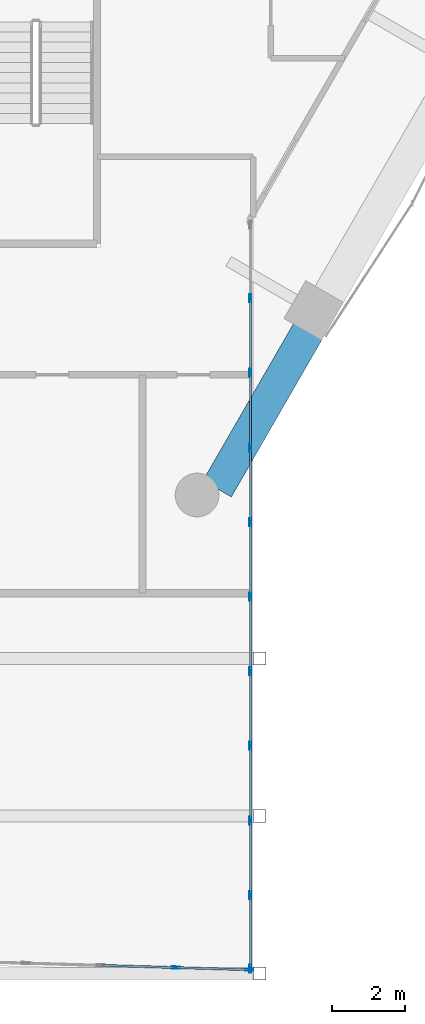
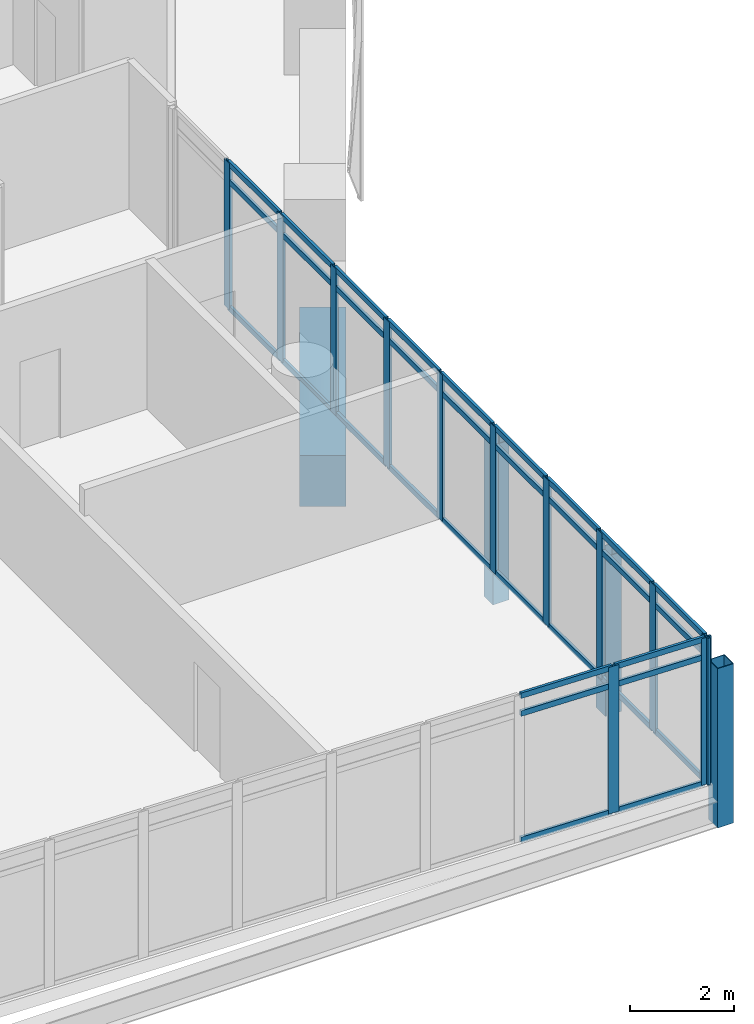
# One storey, part 11 of 36: 48 members, 1 beam, 2 elements without a shape of their own.
"""IFC4 building model written with IfcOpenShell, lengths in metres."""

from ifc_helpers import new_model, si_unit, direction, frame, origin, origin_2d, place, context, subcontext, project, spatial, rectangle, hollow_rectangle, extrude, material, material_profile, profile_set, type_object, element, aggregate, save


model = new_model("IFC4")

# Units and contexts
model_context = context("Model", 3, precision=1e-05, world=origin(), true_north=direction((0.0, 1.0)))
body_context = subcontext(model_context, "Body", "Model", "MODEL_VIEW")
ifc_project = project(units=[si_unit("LENGTHUNIT", "METRE"), si_unit("AREAUNIT", "SQUARE_METRE"), si_unit("VOLUMEUNIT", "CUBIC_METRE"), si_unit("PLANEANGLEUNIT", "RADIAN"), si_unit("MASSUNIT", "GRAM", prefix="KILO")], contexts=[model_context])

# Site, building, storey
site_placement = place(None, origin())
site = spatial("IfcSite", under=ifc_project, at=site_placement, CompositionType="ELEMENT")
building_placement = place(site_placement, origin())
building = spatial("IfcBuilding", under=site, at=building_placement, Name="Ostrander Bayou Hotel Tower", CompositionType="ELEMENT")
storey_placement = place(building_placement, frame((0.0, 0.0, 138.5)))
storey = spatial("IfcBuildingStorey", under=building, at=storey_placement, Name="L34", CompositionType="ELEMENT", Elevation=138.5)

# Curtain wall, members
ifc_material_1 = material(Name="Aluminium and clear glass", Category="aluminium")
curtain_wall_type = type_object("IfcCurtainWallType", Name="CW-BAR glazed wall", PredefinedType="NOTDEFINED", material=ifc_material_1)
curtain_wall_1_placement = place(storey_placement, origin())
curtain_wall_1 = element("IfcCurtainWall", 1, at=curtain_wall_1_placement, inside=storey, type_object=curtain_wall_type, Name="CW-BAR L34:SB3S:T", PredefinedType="NOTDEFINED")
ifc_material_2 = material(Name="Aluminium", Category="aluminium")
ifc_material_profile_1 = material_profile(ifc_material_2, hollow_rectangle(XDim=0.06005859375, YDim=0.219970703125, WallThickness=0.00390625, at=origin_2d()))
ifc_profile_set_1 = profile_set([ifc_material_profile_1], Name="Aluminium")
member_type_1 = type_object("IfcMemberType", Name="CW-BR mullion 60 x 220 mm", PredefinedType="MULLION", material=ifc_profile_set_1)
member_1_placement = place(storey_placement, frame((11.310791015625, -31.28662109375, 0.0), z_axis=(0.0, 0.0, 1.0), x_axis=(0.029746242041, 0.999557482631, 0.0)))
member_1 = element("IfcMember", 2, at=member_1_placement, type_object=member_type_1, Name="CW-BAR mullion 13", PredefinedType="MULLION", context=body_context, shape_type="SweptSolid", body=[
    extrude(hollow_rectangle(XDim=0.06005859375, YDim=0.219970703125, WallThickness=0.00390625, at=origin_2d()), origin(), (0.0, 0.0, 1.0), 3.449951171875),
])
member_2_placement = place(storey_placement, frame((13.337158203125, -31.346923828125, 0.0), z_axis=(0.0, 0.0, 1.0), x_axis=(0.029746242041, 0.999557482631, 0.0)))
member_2 = element("IfcMember", 3, at=member_2_placement, type_object=member_type_1, Name="CW-BAR mullion 14", PredefinedType="MULLION", context=body_context, shape_type="SweptSolid", body=[
    extrude(hollow_rectangle(XDim=0.06005859375, YDim=0.219970703125, WallThickness=0.00390625, at=origin_2d()), origin(), (0.0, 0.0, 1.0), 3.449951171875),
])

curtain_wall_2_placement = place(storey_placement, origin())
curtain_wall_2 = element("IfcCurtainWall", 4, at=curtain_wall_2_placement, inside=storey, type_object=curtain_wall_type, Name="CW-BAR L34:SB3S:W", PredefinedType="NOTDEFINED")
member_3_placement = place(storey_placement, frame((13.3671875, -12.8974609375, 0.0), z_axis=(0.0, 0.0, 1.0), x_axis=(1.0, 0.0, 0.0)))
member_3 = element("IfcMember", 5, at=member_3_placement, type_object=member_type_1, Name="CW-BAR mullion 2", PredefinedType="MULLION", context=body_context, shape_type="SweptSolid", body=[
    extrude(hollow_rectangle(XDim=0.06005859375, YDim=0.219970703125, WallThickness=0.00390625, at=origin_2d()), origin(), (0.0, 0.0, 1.0), 3.449951171875),
])
member_4_placement = place(storey_placement, frame((13.3671875, -14.947509765625, 0.0), z_axis=(0.0, 0.0, 1.0), x_axis=(1.0, 0.0, 0.0)))
member_4 = element("IfcMember", 6, at=member_4_placement, type_object=member_type_1, Name="CW-BAR mullion 3", PredefinedType="MULLION", context=body_context, shape_type="SweptSolid", body=[
    extrude(hollow_rectangle(XDim=0.06005859375, YDim=0.219970703125, WallThickness=0.00390625, at=origin_2d()), origin(), (0.0, 0.0, 1.0), 3.449951171875),
])
member_5_placement = place(storey_placement, frame((13.3671875, -16.99755859375, 0.0), z_axis=(0.0, 0.0, 1.0), x_axis=(1.0, 0.0, 0.0)))
member_5 = element("IfcMember", 7, at=member_5_placement, type_object=member_type_1, Name="CW-BAR mullion 4", PredefinedType="MULLION", context=body_context, shape_type="SweptSolid", body=[
    extrude(hollow_rectangle(XDim=0.06005859375, YDim=0.219970703125, WallThickness=0.00390625, at=origin_2d()), origin(), (0.0, 0.0, 1.0), 3.449951171875),
])
member_6_placement = place(storey_placement, frame((13.3671875, -19.047607421875, 0.0), z_axis=(0.0, 0.0, 1.0), x_axis=(1.0, 0.0, 0.0)))
member_6 = element("IfcMember", 8, at=member_6_placement, type_object=member_type_1, Name="CW-BAR mullion 5", PredefinedType="MULLION", context=body_context, shape_type="SweptSolid", body=[
    extrude(hollow_rectangle(XDim=0.06005859375, YDim=0.219970703125, WallThickness=0.00390625, at=origin_2d()), origin(), (0.0, 0.0, 1.0), 3.449951171875),
])
member_7_placement = place(storey_placement, frame((13.3671875, -21.09765625, 0.0), z_axis=(0.0, 0.0, 1.0), x_axis=(1.0, 0.0, 0.0)))
member_7 = element("IfcMember", 9, at=member_7_placement, type_object=member_type_1, Name="CW-BAR mullion 6", PredefinedType="MULLION", context=body_context, shape_type="SweptSolid", body=[
    extrude(hollow_rectangle(XDim=0.06005859375, YDim=0.219970703125, WallThickness=0.00390625, at=origin_2d()), origin(), (0.0, 0.0, 1.0), 3.449951171875),
])
member_8_placement = place(storey_placement, frame((13.3671875, -23.147705078125, 0.0), z_axis=(0.0, 0.0, 1.0), x_axis=(1.0, 0.0, 0.0)))
member_8 = element("IfcMember", 10, at=member_8_placement, type_object=member_type_1, Name="CW-BAR mullion 7", PredefinedType="MULLION", context=body_context, shape_type="SweptSolid", body=[
    extrude(hollow_rectangle(XDim=0.06005859375, YDim=0.219970703125, WallThickness=0.00390625, at=origin_2d()), origin(), (0.0, 0.0, 1.0), 3.449951171875),
])
member_9_placement = place(storey_placement, frame((13.3671875, -25.19775390625, 0.0), z_axis=(0.0, 0.0, 1.0), x_axis=(1.0, 0.0, 0.0)))
member_9 = element("IfcMember", 11, at=member_9_placement, type_object=member_type_1, Name="CW-BAR mullion 8", PredefinedType="MULLION", context=body_context, shape_type="SweptSolid", body=[
    extrude(hollow_rectangle(XDim=0.06005859375, YDim=0.219970703125, WallThickness=0.00390625, at=origin_2d()), origin(), (0.0, 0.0, 1.0), 3.449951171875),
])
member_10_placement = place(storey_placement, frame((13.3671875, -27.247802734375, 0.0), z_axis=(0.0, 0.0, 1.0), x_axis=(1.0, 0.0, 0.0)))
member_10 = element("IfcMember", 12, at=member_10_placement, type_object=member_type_1, Name="CW-BAR mullion 9", PredefinedType="MULLION", context=body_context, shape_type="SweptSolid", body=[
    extrude(hollow_rectangle(XDim=0.06005859375, YDim=0.219970703125, WallThickness=0.00390625, at=origin_2d()), origin(), (0.0, 0.0, 1.0), 3.449951171875),
])
member_11_placement = place(storey_placement, frame((13.3671875, -29.2978515625, 0.0), z_axis=(0.0, 0.0, 1.0), x_axis=(1.0, 0.0, 0.0)))
member_11 = element("IfcMember", 13, at=member_11_placement, type_object=member_type_1, Name="CW-BAR mullion 10", PredefinedType="MULLION", context=body_context, shape_type="SweptSolid", body=[
    extrude(hollow_rectangle(XDim=0.06005859375, YDim=0.219970703125, WallThickness=0.00390625, at=origin_2d()), origin(), (0.0, 0.0, 1.0), 3.449951171875),
])
member_12_placement = place(storey_placement, frame((13.3671875, -31.31787109375, 0.0), z_axis=(0.0, 0.0, 1.0), x_axis=(1.0, 0.0, 0.0)))
member_12 = element("IfcMember", 14, at=member_12_placement, type_object=member_type_1, Name="CW-BAR mullion 11", PredefinedType="MULLION", context=body_context, shape_type="SweptSolid", body=[
    extrude(hollow_rectangle(XDim=0.06005859375, YDim=0.219970703125, WallThickness=0.00390625, at=origin_2d()), origin(), (0.0, 0.0, 1.0), 3.449951171875),
])

# Member
ifc_material_3 = material(Name="Aluminium", Category="aluminium")
ifc_material_profile_2 = material_profile(ifc_material_3, hollow_rectangle(XDim=0.06005859375, YDim=0.1298828125, WallThickness=0.00390625, at=origin_2d()))
ifc_profile_set_2 = profile_set([ifc_material_profile_2], Name="Aluminium")
member_type_2 = type_object("IfcMemberType", Name="CW-BR transom 60 x 130 mm", PredefinedType="USERDEFINED", material=ifc_profile_set_2)
member_13_placement = place(storey_placement, frame((9.2841796875, -31.226318359375, 0.030029296875), z_axis=(0.999558835181, -0.029700757758, 0.0), x_axis=(0.029700757758, 0.999558835181, 0.0)))
member_13 = element("IfcMember", 15, at=member_13_placement, type_object=member_type_2, Name="CW-BAR transom 12.1", ObjectType="TRANSOM", PredefinedType="USERDEFINED", context=body_context, shape_type="SweptSolid", body=[
    extrude(hollow_rectangle(XDim=0.06005859375, YDim=0.1298828125, WallThickness=0.00390625, at=origin_2d()), origin(), (0.0, 0.0, 1.0), 1.99755859375),
])

member_14_placement = place(storey_placement, frame((9.2841796875, -31.226318359375, 3.0), z_axis=(0.999558835181, -0.029700757758, 0.0), x_axis=(0.029700757758, 0.999558835181, 0.0)))
member_14 = element("IfcMember", 16, at=member_14_placement, type_object=member_type_2, Name="CW-BAR transom 12.2", ObjectType="TRANSOM", PredefinedType="USERDEFINED", context=body_context, shape_type="SweptSolid", body=[
    extrude(hollow_rectangle(XDim=0.06005859375, YDim=0.1298828125, WallThickness=0.00390625, at=origin_2d()), origin(), (0.0, 0.0, 1.0), 1.99755859375),
])

member_15_placement = place(storey_placement, frame((9.2841796875, -31.226318359375, 3.419921875), z_axis=(0.999558835181, -0.029700757758, 0.0), x_axis=(0.029700757758, 0.999558835181, 0.0)))
member_15 = element("IfcMember", 17, at=member_15_placement, type_object=member_type_2, Name="CW-BAR transom 12.3", ObjectType="TRANSOM", PredefinedType="USERDEFINED", context=body_context, shape_type="SweptSolid", body=[
    extrude(hollow_rectangle(XDim=0.06005859375, YDim=0.1298828125, WallThickness=0.00390625, at=origin_2d()), origin(), (0.0, 0.0, 1.0), 1.99755859375),
])

member_16_placement = place(storey_placement, frame((11.340576171875, -31.28759765625, 0.030029296875), z_axis=(0.99956010596, -0.029657959693, 0.0), x_axis=(0.029657959693, 0.99956010596, 0.0)))
member_16 = element("IfcMember", 18, at=member_16_placement, type_object=member_type_2, Name="CW-BAR transom 13.1", ObjectType="TRANSOM", PredefinedType="USERDEFINED", context=body_context, shape_type="SweptSolid", body=[
    extrude(hollow_rectangle(XDim=0.06005859375, YDim=0.1298828125, WallThickness=0.00390625, at=origin_2d()), origin(), (0.0, 0.0, 1.0), 1.967529296875),
])

member_17_placement = place(storey_placement, frame((11.340576171875, -31.28759765625, 3.0), z_axis=(0.99956010596, -0.029657959693, 0.0), x_axis=(0.029657959693, 0.99956010596, 0.0)))
member_17 = element("IfcMember", 19, at=member_17_placement, type_object=member_type_2, Name="CW-BAR transom 13.2", ObjectType="TRANSOM", PredefinedType="USERDEFINED", context=body_context, shape_type="SweptSolid", body=[
    extrude(hollow_rectangle(XDim=0.06005859375, YDim=0.1298828125, WallThickness=0.00390625, at=origin_2d()), origin(), (0.0, 0.0, 1.0), 1.967529296875),
])

member_18_placement = place(storey_placement, frame((11.340576171875, -31.28759765625, 3.419921875), z_axis=(0.99956010596, -0.029657959693, 0.0), x_axis=(0.029657959693, 0.99956010596, 0.0)))
member_18 = element("IfcMember", 20, at=member_18_placement, type_object=member_type_2, Name="CW-BAR transom 13.3", ObjectType="TRANSOM", PredefinedType="USERDEFINED", context=body_context, shape_type="SweptSolid", body=[
    extrude(hollow_rectangle(XDim=0.06005859375, YDim=0.1298828125, WallThickness=0.00390625, at=origin_2d()), origin(), (0.0, 0.0, 1.0), 1.967529296875),
])

aggregate(curtain_wall_1, [member_1, member_2, member_13, member_14, member_15, member_16, member_17, member_18])

member_19_placement = place(storey_placement, frame((13.3671875, -12.92724609375, 0.030029296875), z_axis=(0.0, -1.0, 0.0), x_axis=(1.0, 0.0, 0.0)))
member_19 = element("IfcMember", 21, at=member_19_placement, type_object=member_type_2, Name="CW-BAR transom 2.1", ObjectType="TRANSOM", PredefinedType="USERDEFINED", context=body_context, shape_type="SweptSolid", body=[
    extrude(hollow_rectangle(XDim=0.06005859375, YDim=0.1298828125, WallThickness=0.00390625, at=origin_2d()), origin(), (0.0, 0.0, 1.0), 1.990234375),
])

member_20_placement = place(storey_placement, frame((13.3671875, -12.92724609375, 3.0), z_axis=(0.0, -1.0, 0.0), x_axis=(1.0, 0.0, 0.0)))
member_20 = element("IfcMember", 22, at=member_20_placement, type_object=member_type_2, Name="CW-BAR transom 2.2", ObjectType="TRANSOM", PredefinedType="USERDEFINED", context=body_context, shape_type="SweptSolid", body=[
    extrude(hollow_rectangle(XDim=0.06005859375, YDim=0.1298828125, WallThickness=0.00390625, at=origin_2d()), origin(), (0.0, 0.0, 1.0), 1.990234375),
])

member_21_placement = place(storey_placement, frame((13.3671875, -12.92724609375, 3.419921875), z_axis=(0.0, -1.0, 0.0), x_axis=(1.0, 0.0, 0.0)))
member_21 = element("IfcMember", 23, at=member_21_placement, type_object=member_type_2, Name="CW-BAR transom 2.3", ObjectType="TRANSOM", PredefinedType="USERDEFINED", context=body_context, shape_type="SweptSolid", body=[
    extrude(hollow_rectangle(XDim=0.06005859375, YDim=0.1298828125, WallThickness=0.00390625, at=origin_2d()), origin(), (0.0, 0.0, 1.0), 1.990234375),
])

member_22_placement = place(storey_placement, frame((13.3671875, -14.977294921875, 0.030029296875), z_axis=(0.0, -1.0, 0.0), x_axis=(1.0, 0.0, 0.0)))
member_22 = element("IfcMember", 24, at=member_22_placement, type_object=member_type_2, Name="CW-BAR transom 3.1", ObjectType="TRANSOM", PredefinedType="USERDEFINED", context=body_context, shape_type="SweptSolid", body=[
    extrude(hollow_rectangle(XDim=0.06005859375, YDim=0.1298828125, WallThickness=0.00390625, at=origin_2d()), origin(), (0.0, 0.0, 1.0), 1.990234375),
])

member_23_placement = place(storey_placement, frame((13.3671875, -14.977294921875, 3.0), z_axis=(0.0, -1.0, 0.0), x_axis=(1.0, 0.0, 0.0)))
member_23 = element("IfcMember", 25, at=member_23_placement, type_object=member_type_2, Name="CW-BAR transom 3.2", ObjectType="TRANSOM", PredefinedType="USERDEFINED", context=body_context, shape_type="SweptSolid", body=[
    extrude(hollow_rectangle(XDim=0.06005859375, YDim=0.1298828125, WallThickness=0.00390625, at=origin_2d()), origin(), (0.0, 0.0, 1.0), 1.990234375),
])

member_24_placement = place(storey_placement, frame((13.3671875, -14.977294921875, 3.419921875), z_axis=(0.0, -1.0, 0.0), x_axis=(1.0, 0.0, 0.0)))
member_24 = element("IfcMember", 26, at=member_24_placement, type_object=member_type_2, Name="CW-BAR transom 3.3", ObjectType="TRANSOM", PredefinedType="USERDEFINED", context=body_context, shape_type="SweptSolid", body=[
    extrude(hollow_rectangle(XDim=0.06005859375, YDim=0.1298828125, WallThickness=0.00390625, at=origin_2d()), origin(), (0.0, 0.0, 1.0), 1.990234375),
])

member_25_placement = place(storey_placement, frame((13.3671875, -17.02734375, 0.030029296875), z_axis=(0.0, -1.0, 0.0), x_axis=(1.0, 0.0, 0.0)))
member_25 = element("IfcMember", 27, at=member_25_placement, type_object=member_type_2, Name="CW-BAR transom 4.1", ObjectType="TRANSOM", PredefinedType="USERDEFINED", context=body_context, shape_type="SweptSolid", body=[
    extrude(hollow_rectangle(XDim=0.06005859375, YDim=0.1298828125, WallThickness=0.00390625, at=origin_2d()), origin(), (0.0, 0.0, 1.0), 1.990234375),
])

member_26_placement = place(storey_placement, frame((13.3671875, -17.02734375, 3.0), z_axis=(0.0, -1.0, 0.0), x_axis=(1.0, 0.0, 0.0)))
member_26 = element("IfcMember", 28, at=member_26_placement, type_object=member_type_2, Name="CW-BAR transom 4.2", ObjectType="TRANSOM", PredefinedType="USERDEFINED", context=body_context, shape_type="SweptSolid", body=[
    extrude(hollow_rectangle(XDim=0.06005859375, YDim=0.1298828125, WallThickness=0.00390625, at=origin_2d()), origin(), (0.0, 0.0, 1.0), 1.990234375),
])

member_27_placement = place(storey_placement, frame((13.3671875, -17.02734375, 3.419921875), z_axis=(0.0, -1.0, 0.0), x_axis=(1.0, 0.0, 0.0)))
member_27 = element("IfcMember", 29, at=member_27_placement, type_object=member_type_2, Name="CW-BAR transom 4.3", ObjectType="TRANSOM", PredefinedType="USERDEFINED", context=body_context, shape_type="SweptSolid", body=[
    extrude(hollow_rectangle(XDim=0.06005859375, YDim=0.1298828125, WallThickness=0.00390625, at=origin_2d()), origin(), (0.0, 0.0, 1.0), 1.990234375),
])

member_28_placement = place(storey_placement, frame((13.3671875, -19.077392578125, 0.030029296875), z_axis=(0.0, -1.0, 0.0), x_axis=(1.0, 0.0, 0.0)))
member_28 = element("IfcMember", 30, at=member_28_placement, type_object=member_type_2, Name="CW-BAR transom 5.1", ObjectType="TRANSOM", PredefinedType="USERDEFINED", context=body_context, shape_type="SweptSolid", body=[
    extrude(hollow_rectangle(XDim=0.06005859375, YDim=0.1298828125, WallThickness=0.00390625, at=origin_2d()), origin(), (0.0, 0.0, 1.0), 1.990234375),
])

member_29_placement = place(storey_placement, frame((13.3671875, -19.077392578125, 3.0), z_axis=(0.0, -1.0, 0.0), x_axis=(1.0, 0.0, 0.0)))
member_29 = element("IfcMember", 31, at=member_29_placement, type_object=member_type_2, Name="CW-BAR transom 5.2", ObjectType="TRANSOM", PredefinedType="USERDEFINED", context=body_context, shape_type="SweptSolid", body=[
    extrude(hollow_rectangle(XDim=0.06005859375, YDim=0.1298828125, WallThickness=0.00390625, at=origin_2d()), origin(), (0.0, 0.0, 1.0), 1.990234375),
])

member_30_placement = place(storey_placement, frame((13.3671875, -19.077392578125, 3.419921875), z_axis=(0.0, -1.0, 0.0), x_axis=(1.0, 0.0, 0.0)))
member_30 = element("IfcMember", 32, at=member_30_placement, type_object=member_type_2, Name="CW-BAR transom 5.3", ObjectType="TRANSOM", PredefinedType="USERDEFINED", context=body_context, shape_type="SweptSolid", body=[
    extrude(hollow_rectangle(XDim=0.06005859375, YDim=0.1298828125, WallThickness=0.00390625, at=origin_2d()), origin(), (0.0, 0.0, 1.0), 1.990234375),
])

member_31_placement = place(storey_placement, frame((13.3671875, -21.12744140625, 0.030029296875), z_axis=(0.0, -1.0, 0.0), x_axis=(1.0, 0.0, 0.0)))
member_31 = element("IfcMember", 33, at=member_31_placement, type_object=member_type_2, Name="CW-BAR transom 6.1", ObjectType="TRANSOM", PredefinedType="USERDEFINED", context=body_context, shape_type="SweptSolid", body=[
    extrude(hollow_rectangle(XDim=0.06005859375, YDim=0.1298828125, WallThickness=0.00390625, at=origin_2d()), origin(), (0.0, 0.0, 1.0), 1.990234375),
])

member_32_placement = place(storey_placement, frame((13.3671875, -21.12744140625, 3.0), z_axis=(0.0, -1.0, 0.0), x_axis=(1.0, 0.0, 0.0)))
member_32 = element("IfcMember", 34, at=member_32_placement, type_object=member_type_2, Name="CW-BAR transom 6.2", ObjectType="TRANSOM", PredefinedType="USERDEFINED", context=body_context, shape_type="SweptSolid", body=[
    extrude(hollow_rectangle(XDim=0.06005859375, YDim=0.1298828125, WallThickness=0.00390625, at=origin_2d()), origin(), (0.0, 0.0, 1.0), 1.990234375),
])

member_33_placement = place(storey_placement, frame((13.3671875, -21.12744140625, 3.419921875), z_axis=(0.0, -1.0, 0.0), x_axis=(1.0, 0.0, 0.0)))
member_33 = element("IfcMember", 35, at=member_33_placement, type_object=member_type_2, Name="CW-BAR transom 6.3", ObjectType="TRANSOM", PredefinedType="USERDEFINED", context=body_context, shape_type="SweptSolid", body=[
    extrude(hollow_rectangle(XDim=0.06005859375, YDim=0.1298828125, WallThickness=0.00390625, at=origin_2d()), origin(), (0.0, 0.0, 1.0), 1.990234375),
])

member_34_placement = place(storey_placement, frame((13.3671875, -23.177490234375, 0.030029296875), z_axis=(0.0, -1.0, 0.0), x_axis=(1.0, 0.0, 0.0)))
member_34 = element("IfcMember", 36, at=member_34_placement, type_object=member_type_2, Name="CW-BAR transom 7.1", ObjectType="TRANSOM", PredefinedType="USERDEFINED", context=body_context, shape_type="SweptSolid", body=[
    extrude(hollow_rectangle(XDim=0.06005859375, YDim=0.1298828125, WallThickness=0.00390625, at=origin_2d()), origin(), (0.0, 0.0, 1.0), 1.990234375),
])

member_35_placement = place(storey_placement, frame((13.3671875, -23.177490234375, 3.0), z_axis=(0.0, -1.0, 0.0), x_axis=(1.0, 0.0, 0.0)))
member_35 = element("IfcMember", 37, at=member_35_placement, type_object=member_type_2, Name="CW-BAR transom 7.2", ObjectType="TRANSOM", PredefinedType="USERDEFINED", context=body_context, shape_type="SweptSolid", body=[
    extrude(hollow_rectangle(XDim=0.06005859375, YDim=0.1298828125, WallThickness=0.00390625, at=origin_2d()), origin(), (0.0, 0.0, 1.0), 1.990234375),
])

member_36_placement = place(storey_placement, frame((13.3671875, -23.177490234375, 3.419921875), z_axis=(0.0, -1.0, 0.0), x_axis=(1.0, 0.0, 0.0)))
member_36 = element("IfcMember", 38, at=member_36_placement, type_object=member_type_2, Name="CW-BAR transom 7.3", ObjectType="TRANSOM", PredefinedType="USERDEFINED", context=body_context, shape_type="SweptSolid", body=[
    extrude(hollow_rectangle(XDim=0.06005859375, YDim=0.1298828125, WallThickness=0.00390625, at=origin_2d()), origin(), (0.0, 0.0, 1.0), 1.990234375),
])

member_37_placement = place(storey_placement, frame((13.3671875, -25.2275390625, 0.030029296875), z_axis=(0.0, -1.0, 0.0), x_axis=(1.0, 0.0, 0.0)))
member_37 = element("IfcMember", 39, at=member_37_placement, type_object=member_type_2, Name="CW-BAR transom 8.1", ObjectType="TRANSOM", PredefinedType="USERDEFINED", context=body_context, shape_type="SweptSolid", body=[
    extrude(hollow_rectangle(XDim=0.06005859375, YDim=0.1298828125, WallThickness=0.00390625, at=origin_2d()), origin(), (0.0, 0.0, 1.0), 1.990234375),
])

member_38_placement = place(storey_placement, frame((13.3671875, -25.2275390625, 3.0), z_axis=(0.0, -1.0, 0.0), x_axis=(1.0, 0.0, 0.0)))
member_38 = element("IfcMember", 40, at=member_38_placement, type_object=member_type_2, Name="CW-BAR transom 8.2", ObjectType="TRANSOM", PredefinedType="USERDEFINED", context=body_context, shape_type="SweptSolid", body=[
    extrude(hollow_rectangle(XDim=0.06005859375, YDim=0.1298828125, WallThickness=0.00390625, at=origin_2d()), origin(), (0.0, 0.0, 1.0), 1.990234375),
])

member_39_placement = place(storey_placement, frame((13.3671875, -25.2275390625, 3.419921875), z_axis=(0.0, -1.0, 0.0), x_axis=(1.0, 0.0, 0.0)))
member_39 = element("IfcMember", 41, at=member_39_placement, type_object=member_type_2, Name="CW-BAR transom 8.3", ObjectType="TRANSOM", PredefinedType="USERDEFINED", context=body_context, shape_type="SweptSolid", body=[
    extrude(hollow_rectangle(XDim=0.06005859375, YDim=0.1298828125, WallThickness=0.00390625, at=origin_2d()), origin(), (0.0, 0.0, 1.0), 1.990234375),
])

member_40_placement = place(storey_placement, frame((13.3671875, -27.277587890625, 0.030029296875), z_axis=(0.0, -1.0, 0.0), x_axis=(1.0, 0.0, 0.0)))
member_40 = element("IfcMember", 42, at=member_40_placement, type_object=member_type_2, Name="CW-BAR transom 9.1", ObjectType="TRANSOM", PredefinedType="USERDEFINED", context=body_context, shape_type="SweptSolid", body=[
    extrude(hollow_rectangle(XDim=0.06005859375, YDim=0.1298828125, WallThickness=0.00390625, at=origin_2d()), origin(), (0.0, 0.0, 1.0), 1.990234375),
])

member_41_placement = place(storey_placement, frame((13.3671875, -27.277587890625, 3.0), z_axis=(0.0, -1.0, 0.0), x_axis=(1.0, 0.0, 0.0)))
member_41 = element("IfcMember", 43, at=member_41_placement, type_object=member_type_2, Name="CW-BAR transom 9.2", ObjectType="TRANSOM", PredefinedType="USERDEFINED", context=body_context, shape_type="SweptSolid", body=[
    extrude(hollow_rectangle(XDim=0.06005859375, YDim=0.1298828125, WallThickness=0.00390625, at=origin_2d()), origin(), (0.0, 0.0, 1.0), 1.990234375),
])

member_42_placement = place(storey_placement, frame((13.3671875, -27.277587890625, 3.419921875), z_axis=(0.0, -1.0, 0.0), x_axis=(1.0, 0.0, 0.0)))
member_42 = element("IfcMember", 44, at=member_42_placement, type_object=member_type_2, Name="CW-BAR transom 9.3", ObjectType="TRANSOM", PredefinedType="USERDEFINED", context=body_context, shape_type="SweptSolid", body=[
    extrude(hollow_rectangle(XDim=0.06005859375, YDim=0.1298828125, WallThickness=0.00390625, at=origin_2d()), origin(), (0.0, 0.0, 1.0), 1.990234375),
])

member_43_placement = place(storey_placement, frame((13.3671875, -29.32763671875, 0.030029296875), z_axis=(0.0, -1.0, 0.0), x_axis=(1.0, 0.0, 0.0)))
member_43 = element("IfcMember", 45, at=member_43_placement, type_object=member_type_2, Name="CW-BAR transom 10.1", ObjectType="TRANSOM", PredefinedType="USERDEFINED", context=body_context, shape_type="SweptSolid", body=[
    extrude(hollow_rectangle(XDim=0.06005859375, YDim=0.1298828125, WallThickness=0.00390625, at=origin_2d()), origin(), (0.0, 0.0, 1.0), 1.960205078125),
])

member_44_placement = place(storey_placement, frame((13.3671875, -29.32763671875, 3.0), z_axis=(0.0, -1.0, 0.0), x_axis=(1.0, 0.0, 0.0)))
member_44 = element("IfcMember", 46, at=member_44_placement, type_object=member_type_2, Name="CW-BAR transom 10.2", ObjectType="TRANSOM", PredefinedType="USERDEFINED", context=body_context, shape_type="SweptSolid", body=[
    extrude(hollow_rectangle(XDim=0.06005859375, YDim=0.1298828125, WallThickness=0.00390625, at=origin_2d()), origin(), (0.0, 0.0, 1.0), 1.960205078125),
])

member_45_placement = place(storey_placement, frame((13.3671875, -29.32763671875, 3.419921875), z_axis=(0.0, -1.0, 0.0), x_axis=(1.0, 0.0, 0.0)))
member_45 = element("IfcMember", 47, at=member_45_placement, type_object=member_type_2, Name="CW-BAR transom 10.3", ObjectType="TRANSOM", PredefinedType="USERDEFINED", context=body_context, shape_type="SweptSolid", body=[
    extrude(hollow_rectangle(XDim=0.06005859375, YDim=0.1298828125, WallThickness=0.00390625, at=origin_2d()), origin(), (0.0, 0.0, 1.0), 1.960205078125),
])

aggregate(curtain_wall_2, [member_3, member_4, member_5, member_6, member_7, member_8, member_9, member_10, member_11, member_12, member_19, member_20, member_21, member_22, member_23, member_24, member_25, member_26, member_27, member_28, member_29, member_30, member_31, member_32, member_33, member_34, member_35, member_36, member_37, member_38, member_39, member_40, member_41, member_42, member_43, member_44, member_45])

# Beam
ifc_material_4 = material(Name="Concrete f'c 70 MPa", Category="concrete")
ifc_material_profile_3 = material_profile(ifc_material_4, rectangle(XDim=0.89990234375, YDim=1.199951171875, at=origin_2d()))
ifc_profile_set_3 = profile_set([ifc_material_profile_3], Name="Concrete f'c 70 MPa")
beam_type = type_object("IfcBeamType", Name="SP2 spandrel beam 900 x 1200 mm f'c 70 MPa", PredefinedType="SPANDREL", material=ifc_profile_set_3)
beam_placement = place(storey_placement, frame((12.45361328125, -18.1298828125, -0.60009765625), z_axis=(0.499974782844, 0.866039962427, 0.0), x_axis=(-0.866039962427, 0.499974782844, 0.0)))
element("IfcBeam", 48, at=beam_placement, inside=storey, type_object=beam_type, Name="SP2 L34 SE-1", PredefinedType="SPANDREL", context=body_context, shape_type="SweptSolid", body=[
    extrude(rectangle(XDim=0.89990234375, YDim=1.199951171875, at=origin_2d()), origin(), (0.0, 0.0, 1.0), 4.997314453125),
])

# Members
ifc_material_5 = material(Name="Steel ASTM A500 Gr C", Category="steel")
ifc_material_profile_4 = material_profile(ifc_material_5, hollow_rectangle(XDim=0.355712890625, YDim=0.355712890625, WallThickness=0.0146484375, at=origin_2d()))
ifc_profile_set_4 = profile_set([ifc_material_profile_4], Name="Steel ASTM A500 Gr C")
member_type_3 = type_object("IfcMemberType", Name="TH1 bar hanger HSS14x14x5/8", PredefinedType="POST", material=ifc_profile_set_4)
for number, where, z_axis, x_axis, name in (
    (49, (13.6201171875, -22.794677734375, -0.921875), (0.0, 0.0, 1.0), (1.0, 0.0, 0.0), "TH1 SB3SB H1-3"),
    (50, (13.6201171875, -27.122314453125, -0.921875), (0.0, 0.0, 1.0), (1.0, 0.0, 0.0), "TH1 SB3SB H2-3"),
    (51, (13.6201171875, -31.449951171875, -0.921875), (0.0, 0.0, 1.0), (1.0, 0.0, 0.0), "TH1 SB3SB H3-3"),
):
    element("IfcMember", number, at=place(storey_placement, frame(where, z_axis=z_axis, x_axis=x_axis)), inside=storey, type_object=member_type_3, Name=name, PredefinedType="POST", context=body_context, shape_type="SweptSolid", body=[
        extrude(hollow_rectangle(XDim=0.355712890625, YDim=0.355712890625, WallThickness=0.0146484375, at=origin_2d()), origin(), (0.0, 0.0, 1.0), 3.75),
    ])

save(model, "model.ifc")
